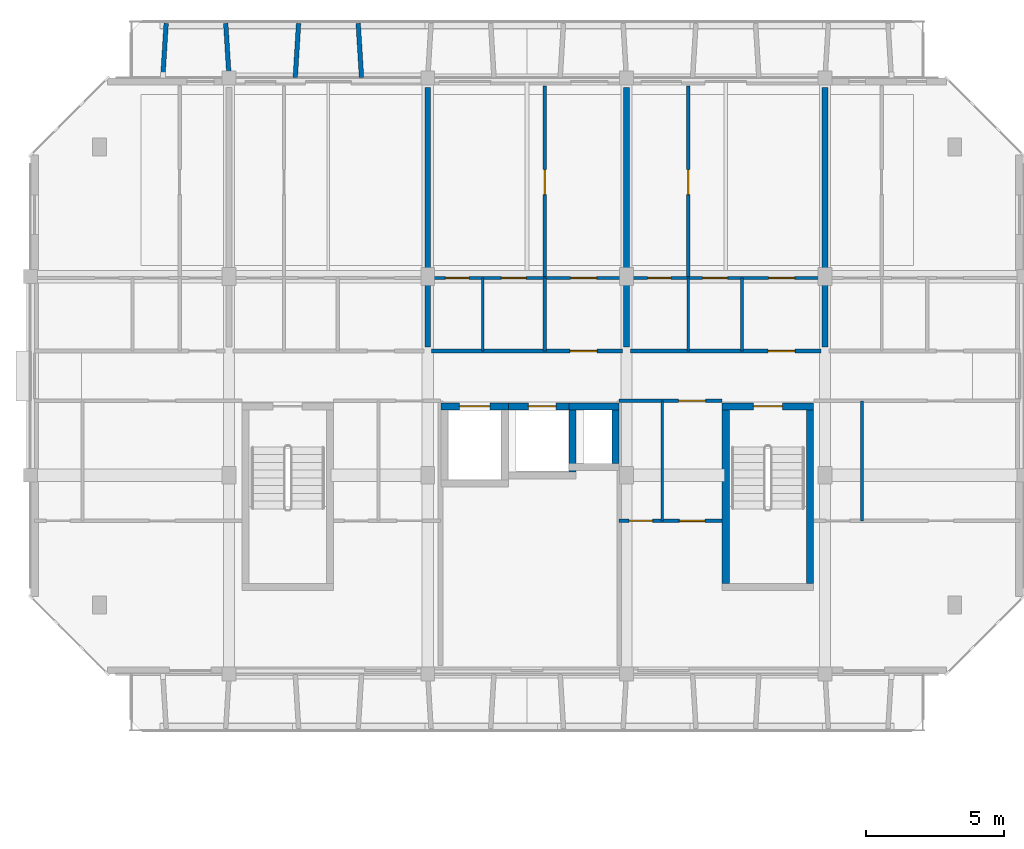
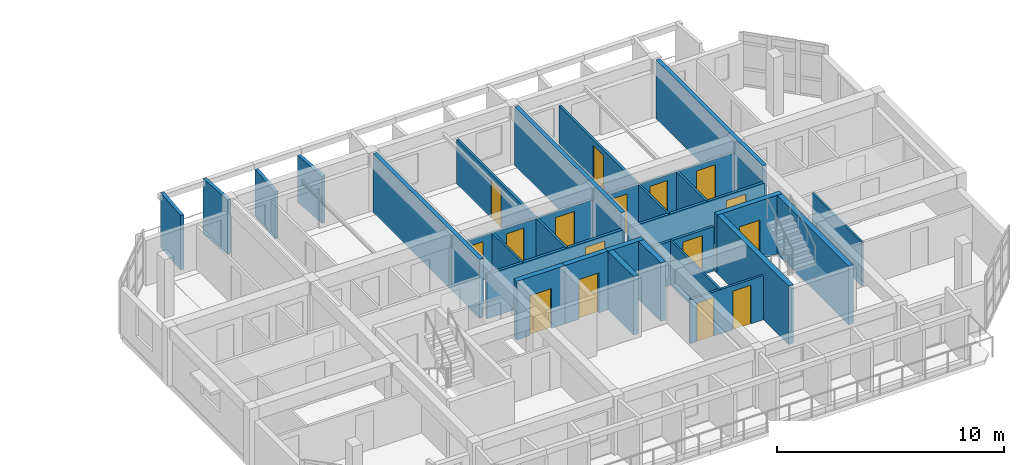
# One storey, part 27 of 40: 29 walls, 16 doors, 16 openings.
"""IFC4 building model written with IfcOpenShell, lengths in metres."""

from ifc_helpers import new_model, si_unit, direction, frame, frame_2d, origin, place, context, subcontext, project, spatial, rectangle, extrude, material, layer, layer_set, type_object, element, fill, save


model = new_model("IFC4")

# Units and contexts
model_context = context("Model", 3, precision=1e-05, world=origin(), true_north=direction((0.0, 1.0)))
body_context = subcontext(model_context, "Body", "Model", "MODEL_VIEW")
ifc_project = project(units=[si_unit("LENGTHUNIT", "METRE"), si_unit("AREAUNIT", "SQUARE_METRE"), si_unit("VOLUMEUNIT", "CUBIC_METRE"), si_unit("PLANEANGLEUNIT", "RADIAN"), si_unit("MASSUNIT", "GRAM", prefix="KILO")], contexts=[model_context])

# Site, building, storey
site_placement = place(None, origin())
site = spatial("IfcSite", under=ifc_project, at=site_placement, CompositionType="ELEMENT")
building_placement = place(site_placement, origin())
building = spatial("IfcBuilding", under=site, at=building_placement, Name="Ochrevale Crest", CompositionType="ELEMENT")
storey_placement = place(building_placement, frame((0.0, 0.0, 27.60009765625)))
storey = spatial("IfcBuildingStorey", under=building, at=storey_placement, Name="L08", CompositionType="ELEMENT", Elevation=27.60009765625)

# Wall, opening, door
ifc_material_1 = material(Name="Gypsum plasterboard", Category="gypsum")
ifc_layer_1 = layer(ifc_material_1, 0.139892578125)
ifc_layer_set_1 = layer_set([ifc_layer_1], Name="Gypsum plasterboard")
wall_type_1 = type_object("IfcWallType", Name="WL-COR-140", PredefinedType="PARTITIONING", material=ifc_layer_set_1)
wall_1_placement = place(storey_placement, frame((144.139892578125, 83.699951171875, 0.0), z_axis=(0.0, 0.0, 1.0), x_axis=(1.0, 0.0, 0.0)))
wall_1 = element("IfcWall", 1, at=wall_1_placement, inside=storey, type_object=wall_type_1, Name="Apartment D-L08-U3 corridor wall", PredefinedType="PARTITIONING", context=body_context, shape_type="SweptSolid", body=[
    extrude(rectangle(XDim=6.920166015625, YDim=0.139892578125, at=frame_2d((3.4599609375, 0.0))), origin(), (0.0, 0.0, 1.0), 2.3798828125),
])
opening_1_placement = place(wall_1_placement, frame((6.0, 0.0, 0.0), z_axis=(0.0, 0.0, 1.0), x_axis=(-1.0, 0.0, 0.0)))
opening_1 = element("IfcOpeningElement", 2, at=opening_1_placement, cuts=wall_1, Name="Opening FD01", PredefinedType="OPENING", context=body_context, shape_type="SweptSolid", body=[
    extrude(rectangle(XDim=0.97998046875, YDim=2.10009765625, at=frame_2d((0.489990234375, 1.050048828125))), frame((0.0, 0.080078125, 0.0), z_axis=(0.0, -1.0, 0.0), x_axis=(1.0, 0.0, 0.0)), (0.0, 0.0, 1.0), 0.159912109375),
])
ifc_material_2 = material(Name="Solid-core FSC hardwood", Category="wood")
door_type_1 = type_object("IfcDoorType", Name="DR-APT-950", OperationType="NOTDEFINED", PredefinedType="DOOR", material=ifc_material_2)
door_1_placement = place(opening_1_placement, origin())
door_1 = element("IfcDoor", 3, at=door_1_placement, inside=storey, type_object=door_type_1, Name="Apartment D-L08-U3 entrance door", OperationType="SINGLE_SWING_RIGHT", OverallHeight=2.10009765625, OverallWidth=0.97998046875, PredefinedType="DOOR", context=body_context, shape_type="SweptSolid", body=[
    extrude(rectangle(XDim=0.97998046875, YDim=2.10009765625, at=frame_2d((0.489990234375, 1.050048828125))), frame((0.0, 0.02490234375, 0.0), z_axis=(0.0, -1.0, 0.0), x_axis=(1.0, 0.0, 0.0)), (0.0, 0.0, 1.0), 0.050048828125),
])
fill(opening_1, door_1)

wall_2_placement = place(storey_placement, frame((151.340087890625, 83.699951171875, 0.0), z_axis=(0.0, 0.0, 1.0), x_axis=(1.0, 0.0, 0.0)))
wall_2 = element("IfcWall", 4, at=wall_2_placement, inside=storey, type_object=wall_type_1, Name="Apartment D-L08-U4 corridor wall", PredefinedType="PARTITIONING", context=body_context, shape_type="SweptSolid", body=[
    extrude(rectangle(XDim=6.919921875, YDim=0.139892578125, at=frame_2d((3.4599609375, 0.0))), origin(), (0.0, 0.0, 1.0), 2.3798828125),
])
opening_2_placement = place(wall_2_placement, frame((4.9951171875, 0.0, 0.0)))
opening_2 = element("IfcOpeningElement", 5, at=opening_2_placement, cuts=wall_2, Name="Opening FD01", PredefinedType="OPENING", context=body_context, shape_type="SweptSolid", body=[
    extrude(rectangle(XDim=0.97998046875, YDim=2.10009765625, at=frame_2d((0.489990234375, 1.050048828125))), frame((0.0, 0.080078125, 0.0), z_axis=(0.0, -1.0, 0.0), x_axis=(1.0, 0.0, 0.0)), (0.0, 0.0, 1.0), 0.159912109375),
])
door_2_placement = place(opening_2_placement, origin())
door_2 = element("IfcDoor", 6, at=door_2_placement, inside=storey, type_object=door_type_1, Name="Apartment D-L08-U4 entrance door", OperationType="SINGLE_SWING_LEFT", OverallHeight=2.10009765625, OverallWidth=0.97998046875, PredefinedType="DOOR", context=body_context, shape_type="SweptSolid", body=[
    extrude(rectangle(XDim=0.97998046875, YDim=2.10009765625, at=frame_2d((0.489990234375, 1.050048828125))), frame((0.0, 0.02490234375, 0.0), z_axis=(0.0, -1.0, 0.0), x_axis=(1.0, 0.0, 0.0)), (0.0, 0.0, 1.0), 0.050048828125),
])
fill(opening_2, door_2)

wall_3_placement = place(storey_placement, frame((150.93994140625, 81.89990234375, 0.0), z_axis=(0.0, 0.0, 1.0), x_axis=(1.0, 0.0, 0.0)))
wall_3 = element("IfcWall", 7, at=wall_3_placement, inside=storey, type_object=wall_type_1, Name="Suite D-L08-ME corridor wall", PredefinedType="PARTITIONING", context=body_context, shape_type="SweptSolid", body=[
    extrude(rectangle(XDim=3.719970703125, YDim=0.139892578125, at=frame_2d((1.85986328125, 0.0))), origin(), (0.0, 0.0, 1.0), 2.3798828125),
])
opening_3_placement = place(wall_3_placement, frame((2.151123046875, 0.0, 0.0)))
opening_3 = element("IfcOpeningElement", 8, at=opening_3_placement, cuts=wall_3, Name="Opening FD01", PredefinedType="OPENING", context=body_context, shape_type="SweptSolid", body=[
    extrude(rectangle(XDim=0.97998046875, YDim=2.10009765625, at=frame_2d((0.489990234375, 1.050048828125))), frame((0.0, 0.080078125, 0.0), z_axis=(0.0, -1.0, 0.0), x_axis=(1.0, 0.0, 0.0)), (0.0, 0.0, 1.0), 0.159912109375),
])
door_3_placement = place(opening_3_placement, origin())
door_3 = element("IfcDoor", 9, at=door_3_placement, inside=storey, type_object=door_type_1, Name="Suite D-L08-ME entrance door", OperationType="SINGLE_SWING_LEFT", OverallHeight=2.10009765625, OverallWidth=0.97998046875, PredefinedType="DOOR", context=body_context, shape_type="SweptSolid", body=[
    extrude(rectangle(XDim=0.97998046875, YDim=2.10009765625, at=frame_2d((0.489990234375, 1.050048828125))), frame((0.0, 0.02490234375, 0.0), z_axis=(0.0, -1.0, 0.0), x_axis=(1.0, 0.0, 0.0)), (0.0, 0.0, 1.0), 0.050048828125),
])
fill(opening_3, door_3)

ifc_material_3 = material(Name="Precast concrete C50/60", Category="concrete")
ifc_layer_2 = layer(ifc_material_3, 0.2548828125)
ifc_layer_set_2 = layer_set([ifc_layer_2], Name="Precast concrete C50/60")
wall_type_2 = type_object("IfcWallType", Name="WL-CORE-255", PredefinedType="SHEAR", material=ifc_layer_set_2)
wall_4_placement = place(storey_placement, frame((154.672607421875, 81.699951171875, 0.0), z_axis=(0.0, 0.0, 1.0), x_axis=(1.0, 0.0, 0.0)))
wall_4 = element("IfcWall", 10, at=wall_4_placement, inside=storey, type_object=wall_type_2, Name="Block D L08 Stair 2 precast core shear wall N", PredefinedType="SHEAR", context=body_context, shape_type="SweptSolid", body=[
    extrude(rectangle(XDim=3.304931640625, YDim=0.2548828125, at=frame_2d((1.65234375, 0.0))), origin(), (0.0, 0.0, 1.0), 3.14990234375),
])
opening_4_placement = place(wall_4_placement, frame((1.12744140625, 0.0, 0.0)))
opening_4 = element("IfcOpeningElement", 11, at=opening_4_placement, cuts=wall_4, Name="Opening FD03", PredefinedType="OPENING", context=body_context, shape_type="SweptSolid", body=[
    extrude(rectangle(XDim=1.050048828125, YDim=2.1201171875, at=frame_2d((0.52490234375, 1.06005859375))), frame((0.0, 0.137451171875, 0.0), z_axis=(0.0, -1.0, 0.0), x_axis=(1.0, 0.0, 0.0)), (0.0, 0.0, 1.0), 0.27490234375),
])
door_type_2 = type_object("IfcDoorType", Name="DR-ST-1050", OperationType="NOTDEFINED", PredefinedType="DOOR", material=ifc_material_2)
door_4_placement = place(opening_4_placement, origin())
door_4 = element("IfcDoor", 12, at=door_4_placement, inside=storey, type_object=door_type_2, Name="Block D L08 fire stair 2 door", OperationType="SINGLE_SWING_LEFT", OverallHeight=2.1201171875, OverallWidth=1.050048828125, PredefinedType="DOOR", context=body_context, shape_type="SweptSolid", body=[
    extrude(rectangle(XDim=1.050048828125, YDim=2.1201171875, at=frame_2d((0.52490234375, 1.06005859375))), frame((0.0, 0.02490234375, 0.0), z_axis=(0.0, -1.0, 0.0), x_axis=(1.0, 0.0, 0.0)), (0.0, 0.0, 1.0), 0.050048828125),
])
fill(opening_4, door_4)

# Walls
for number, where, z_axis, x_axis, name in (
    (13, (154.800048828125, 75.277587890625, 0.0), (0.0, 0.0, 1.0), (0.0, 1.0, 0.0), "Block D L08 Stair 2 precast core shear wall W"),
    (14, (157.85009765625, 75.277587890625, 0.0), (0.0, 0.0, 1.0), (0.0, 1.0, 0.0), "Block D L08 Stair 2 precast core shear wall E"),
):
    element("IfcWall", number, at=place(storey_placement, frame(where, z_axis=z_axis, x_axis=x_axis)), inside=storey, type_object=wall_type_2, Name=name, PredefinedType="SHEAR", context=body_context, shape_type="SweptSolid", body=[
        extrude(rectangle(XDim=6.294921875, YDim=0.2548828125, at=frame_2d((3.1474609375, 0.0))), origin(), (0.0, 0.0, 1.0), 3.14990234375),
    ])

# Wall, opening, door
wall_5_placement = place(storey_placement, frame((144.472412109375, 81.699951171875, 0.0), z_axis=(0.0, 0.0, 1.0), x_axis=(1.0, 0.0, 0.0)))
wall_5 = element("IfcWall", 15, at=wall_5_placement, inside=storey, type_object=wall_type_2, Name="Block D L08 Lift 1 precast shaft shear wall N", PredefinedType="SHEAR", context=body_context, shape_type="SweptSolid", body=[
    extrude(rectangle(XDim=2.455078125, YDim=0.2548828125, at=frame_2d((1.2275390625, 0.0))), origin(), (0.0, 0.0, 1.0), 3.14990234375),
])
opening_5_placement = place(wall_5_placement, frame((0.677490234375, 0.0, 0.0)))
opening_5 = element("IfcOpeningElement", 16, at=opening_5_placement, cuts=wall_5, Name="Opening LD01", PredefinedType="OPENING", context=body_context, shape_type="SweptSolid", body=[
    extrude(rectangle(XDim=1.10009765625, YDim=2.14990234375, at=frame_2d((0.550048828125, 1.074951171875))), frame((0.0, 0.137451171875, 0.0), z_axis=(0.0, -1.0, 0.0), x_axis=(1.0, 0.0, 0.0)), (0.0, 0.0, 1.0), 0.27490234375),
])
door_type_3 = type_object("IfcDoorType", Name="DR-LIFT-1100", OperationType="NOTDEFINED", PredefinedType="DOOR", material=ifc_material_2)
door_5_placement = place(opening_5_placement, origin())
door_5 = element("IfcDoor", 17, at=door_5_placement, inside=storey, type_object=door_type_3, Name="Lift LF-D1 L08 sliding landing door", OperationType="SLIDING_TO_LEFT", OverallHeight=2.14990234375, OverallWidth=1.10009765625, PredefinedType="DOOR", context=body_context, shape_type="SweptSolid", body=[
    extrude(rectangle(XDim=1.10009765625, YDim=2.14990234375, at=frame_2d((0.550048828125, 1.074951171875))), frame((0.0, 0.02490234375, 0.0), z_axis=(0.0, -1.0, 0.0), x_axis=(1.0, 0.0, 0.0)), (0.0, 0.0, 1.0), 0.050048828125),
])
fill(opening_5, door_5)

wall_6_placement = place(storey_placement, frame((146.922607421875, 81.699951171875, 0.0), z_axis=(0.0, 0.0, 1.0), x_axis=(1.0, 0.0, 0.0)))
wall_6 = element("IfcWall", 18, at=wall_6_placement, inside=storey, type_object=wall_type_2, Name="Block D L08 Lift 2 precast shaft shear wall N", PredefinedType="SHEAR", context=body_context, shape_type="SweptSolid", body=[
    extrude(rectangle(XDim=2.454833984375, YDim=0.2548828125, at=frame_2d((1.2275390625, 0.0))), origin(), (0.0, 0.0, 1.0), 3.14990234375),
])
opening_6_placement = place(wall_6_placement, frame((0.7275390625, 0.0, 0.0)))
opening_6 = element("IfcOpeningElement", 19, at=opening_6_placement, cuts=wall_6, Name="Opening LD02", PredefinedType="OPENING", context=body_context, shape_type="SweptSolid", body=[
    extrude(rectangle(XDim=1.0, YDim=2.14990234375, at=frame_2d((0.5, 1.074951171875))), frame((0.0, 0.137451171875, 0.0), z_axis=(0.0, -1.0, 0.0), x_axis=(1.0, 0.0, 0.0)), (0.0, 0.0, 1.0), 0.27490234375),
])
door_type_4 = type_object("IfcDoorType", Name="DR-LIFT-1000", OperationType="NOTDEFINED", PredefinedType="DOOR", material=ifc_material_2)
door_6_placement = place(opening_6_placement, origin())
door_6 = element("IfcDoor", 20, at=door_6_placement, inside=storey, type_object=door_type_4, Name="Lift LP-D2 L08 sliding landing door", OperationType="SLIDING_TO_RIGHT", OverallHeight=2.14990234375, OverallWidth=1.0, PredefinedType="DOOR", context=body_context, shape_type="SweptSolid", body=[
    extrude(rectangle(XDim=1.0, YDim=2.14990234375, at=frame_2d((0.5, 1.074951171875))), frame((0.0, 0.02490234375, 0.0), z_axis=(0.0, -1.0, 0.0), x_axis=(1.0, 0.0, 0.0)), (0.0, 0.0, 1.0), 0.050048828125),
])
fill(opening_6, door_6)

# Walls
wall_7_placement = place(storey_placement, frame((149.25, 79.327392578125, 0.0), z_axis=(0.0, 0.0, 1.0), x_axis=(0.0, 1.0, 0.0)))
element("IfcWall", 21, at=wall_7_placement, inside=storey, type_object=wall_type_2, Name="Block D L08 Lift 2 precast shaft shear wall E", PredefinedType="SHEAR", context=body_context, shape_type="SweptSolid", body=[
    extrude(rectangle(XDim=2.2451171875, YDim=0.2548828125, at=frame_2d((1.12255859375, 0.0))), origin(), (0.0, 0.0, 1.0), 3.14990234375),
])
wall_8_placement = place(storey_placement, frame((149.12255859375, 81.699951171875, 0.0), z_axis=(0.0, 0.0, 1.0), x_axis=(1.0, 0.0, 0.0)))
element("IfcWall", 22, at=wall_8_placement, inside=storey, type_object=wall_type_2, Name="Block D L08 services riser shaft core wall N", PredefinedType="SHEAR", context=body_context, shape_type="SweptSolid", body=[
    extrude(rectangle(XDim=1.804931640625, YDim=0.2548828125, at=frame_2d((0.90234375, 0.0))), origin(), (0.0, 0.0, 1.0), 3.14990234375),
])
wall_9_placement = place(storey_placement, frame((150.800048828125, 79.62744140625, 0.0), z_axis=(0.0, 0.0, 1.0), x_axis=(0.0, 1.0, 0.0)))
element("IfcWall", 23, at=wall_9_placement, inside=storey, type_object=wall_type_2, Name="Block D L08 services riser shaft core wall E", PredefinedType="SHEAR", context=body_context, shape_type="SweptSolid", body=[
    extrude(rectangle(XDim=1.945068359375, YDim=0.2548828125, at=frame_2d((0.97265625, 0.0))), origin(), (0.0, 0.0, 1.0), 3.14990234375),
])
ifc_material_4 = material(Name="Precast concrete C40/50", Category="concrete")
ifc_layer_3 = layer(ifc_material_4, 0.1650390625)
ifc_layer_set_3 = layer_set([ifc_layer_3], Name="Precast concrete C40/50")
wall_type_3 = type_object("IfcWallType", Name="WL-HC-CHEEK-165", PredefinedType="ELEMENTEDWALL", material=ifc_layer_set_3)
for number, where, z_axis, x_axis, name in (
    (24, (134.39990234375, 93.6201171875, 0.0), (0.0, 0.0, 1.0), (0.061170732449, 0.998127317276, 0.0), "Block D L08 N precast honeycomb cheek 1"),
    (25, (136.800048828125, 93.6201171875, 0.0), (0.0, 0.0, 1.0), (-0.061170732449, 0.998127317276, 0.0), "Block D L08 N precast honeycomb cheek 2"),
):
    element("IfcWall", number, at=place(storey_placement, frame(where, z_axis=z_axis, x_axis=x_axis)), inside=storey, type_object=wall_type_3, Name=name, PredefinedType="ELEMENTEDWALL", context=body_context, shape_type="SweptSolid", body=[
        extrude(rectangle(XDim=1.963623046875, YDim=0.1650390625, at=frame_2d((0.98193359375, 0.0))), origin(), (0.0, 0.0, 1.0), 2.949951171875),
    ])
for number, where, z_axis, x_axis, name in (
    (26, (139.199951171875, 93.6201171875, 0.0), (0.0, 0.0, 1.0), (0.061170732449, 0.998127317276, 0.0), "Block D L08 N precast honeycomb cheek 3"),
    (27, (141.60009765625, 93.6201171875, 0.0), (0.0, 0.0, 1.0), (-0.061170732449, 0.998127317276, 0.0), "Block D L08 N precast honeycomb cheek 4"),
):
    element("IfcWall", number, at=place(storey_placement, frame(where, z_axis=z_axis, x_axis=x_axis)), inside=storey, type_object=wall_type_3, Name=name, PredefinedType="ELEMENTEDWALL", context=body_context, shape_type="SweptSolid", body=[
        extrude(rectangle(XDim=1.963623046875, YDim=0.1650390625, at=frame_2d((0.98193359375, 0.0))), origin(), (0.0, 0.0, 1.0), 2.52978515625),
    ])
ifc_layer_4 = layer(ifc_material_1, 0.1201171875)
ifc_layer_set_4 = layer_set([ifc_layer_4], Name="Gypsum plasterboard")
wall_type_4 = type_object("IfcWallType", Name="WL-PART-120", PredefinedType="PARTITIONING", material=ifc_layer_set_4)
wall_10_placement = place(storey_placement, frame((148.239990234375, 83.699951171875, 0.0), z_axis=(0.0, 0.0, 1.0), x_axis=(0.0, 1.0, 0.0)))
element("IfcWall", 28, at=wall_10_placement, inside=storey, type_object=wall_type_4, Name="Apartment D-L08-U3 kitchen-foyer wall", PredefinedType="PARTITIONING", context=body_context, shape_type="SweptSolid", body=[
    extrude(rectangle(XDim=2.650146484375, YDim=0.1201171875, at=frame_2d((1.3251953125, 0.0))), origin(), (0.0, 0.0, 1.0), 2.3798828125),
])

# Wall, openings, doors
wall_11_placement = place(storey_placement, frame((144.139892578125, 86.35009765625, 0.0), z_axis=(0.0, 0.0, 1.0), x_axis=(1.0, 0.0, 0.0)))
wall_11 = element("IfcWall", 29, at=wall_11_placement, inside=storey, type_object=wall_type_4, Name="Apartment D-L08-U3 central partition", PredefinedType="PARTITIONING", context=body_context, shape_type="SweptSolid", body=[
    extrude(rectangle(XDim=6.920166015625, YDim=0.1201171875, at=frame_2d((3.4599609375, 0.0))), origin(), (0.0, 0.0, 1.0), 2.3798828125),
])
opening_7_placement = place(wall_11_placement, frame((0.5, 0.0, 0.0)))
opening_7 = element("IfcOpeningElement", 30, at=opening_7_placement, cuts=wall_11, Name="Opening ID01", PredefinedType="OPENING", context=body_context, shape_type="SweptSolid", body=[
    extrude(rectangle(XDim=0.85009765625, YDim=2.080078125, at=frame_2d((0.425048828125, 1.0400390625))), frame((0.0, 0.070068359375, 0.0), z_axis=(0.0, -1.0, 0.0), x_axis=(1.0, 0.0, 0.0)), (0.0, 0.0, 1.0), 0.14013671875),
])
opening_8_placement = place(wall_11_placement, frame((3.4248046875, 0.0, 0.0), z_axis=(0.0, 0.0, 1.0), x_axis=(-1.0, 0.0, 0.0)))
opening_8 = element("IfcOpeningElement", 31, at=opening_8_placement, cuts=wall_11, Name="Opening ID02", PredefinedType="OPENING", context=body_context, shape_type="SweptSolid", body=[
    extrude(rectangle(XDim=0.89990234375, YDim=2.080078125, at=frame_2d((0.449951171875, 1.0400390625))), frame((0.0, 0.070068359375, 0.0), z_axis=(0.0, -1.0, 0.0), x_axis=(1.0, 0.0, 0.0)), (0.0, 0.0, 1.0), 0.14013671875),
])
opening_9_placement = place(wall_11_placement, frame((5.034912109375, 0.0, 0.0)))
opening_9 = element("IfcOpeningElement", 32, at=opening_9_placement, cuts=wall_11, Name="Opening ID06", PredefinedType="OPENING", context=body_context, shape_type="SweptSolid", body=[
    extrude(rectangle(XDim=0.949951171875, YDim=2.080078125, at=frame_2d((0.47509765625, 1.0400390625))), frame((0.0, 0.070068359375, 0.0), z_axis=(0.0, -1.0, 0.0), x_axis=(1.0, 0.0, 0.0)), (0.0, 0.0, 1.0), 0.14013671875),
])
door_type_5 = type_object("IfcDoorType", Name="DR-INT-900", OperationType="NOTDEFINED", PredefinedType="DOOR", material=ifc_material_2)
door_7_placement = place(opening_8_placement, origin())
door_7 = element("IfcDoor", 33, at=door_7_placement, inside=storey, type_object=door_type_5, Name="Apartment D-L08-U3 Kitchen door", OperationType="SINGLE_SWING_RIGHT", OverallHeight=2.080078125, OverallWidth=0.89990234375, PredefinedType="DOOR", context=body_context, shape_type="SweptSolid", body=[
    extrude(rectangle(XDim=0.89990234375, YDim=2.080078125, at=frame_2d((0.449951171875, 1.0400390625))), frame((0.0, 0.02490234375, 0.0), z_axis=(0.0, -1.0, 0.0), x_axis=(1.0, 0.0, 0.0)), (0.0, 0.0, 1.0), 0.050048828125),
])
fill(opening_8, door_7)
door_type_6 = type_object("IfcDoorType", Name="DR-INT-950", OperationType="NOTDEFINED", PredefinedType="DOOR", material=ifc_material_2)
door_8_placement = place(opening_9_placement, origin())
door_8 = element("IfcDoor", 34, at=door_8_placement, inside=storey, type_object=door_type_6, Name="Apartment D-L08-U3 Living Foyer door", OperationType="SINGLE_SWING_LEFT", OverallHeight=2.080078125, OverallWidth=0.949951171875, PredefinedType="DOOR", context=body_context, shape_type="SweptSolid", body=[
    extrude(rectangle(XDim=0.949951171875, YDim=2.080078125, at=frame_2d((0.47509765625, 1.0400390625))), frame((0.0, 0.02490234375, 0.0), z_axis=(0.0, -1.0, 0.0), x_axis=(1.0, 0.0, 0.0)), (0.0, 0.0, 1.0), 0.050048828125),
])
fill(opening_9, door_8)
door_type_7 = type_object("IfcDoorType", Name="DR-WC-850", OperationType="NOTDEFINED", PredefinedType="DOOR", material=ifc_material_2)
door_9_placement = place(opening_7_placement, origin())
door_9 = element("IfcDoor", 35, at=door_9_placement, inside=storey, type_object=door_type_7, Name="Apartment D-L08-U3 Bathroom door", OperationType="SINGLE_SWING_LEFT", OverallHeight=2.080078125, OverallWidth=0.85009765625, PredefinedType="DOOR", context=body_context, shape_type="SweptSolid", body=[
    extrude(rectangle(XDim=0.85009765625, YDim=2.080078125, at=frame_2d((0.425048828125, 1.0400390625))), frame((0.0, 0.02490234375, 0.0), z_axis=(0.0, -1.0, 0.0), x_axis=(1.0, 0.0, 0.0)), (0.0, 0.0, 1.0), 0.050048828125),
])
fill(opening_7, door_9)

# Wall, opening, door
wall_12_placement = place(storey_placement, frame((148.239990234375, 86.35009765625, 0.0), z_axis=(0.0, 0.0, 1.0), x_axis=(0.0, 1.0, 0.0)))
wall_12 = element("IfcWall", 36, at=wall_12_placement, inside=storey, type_object=wall_type_4, Name="Apartment D-L08-U3 bedroom partition", PredefinedType="PARTITIONING", context=body_context, shape_type="SweptSolid", body=[
    extrude(rectangle(XDim=6.949951171875, YDim=0.1201171875, at=frame_2d((3.47509765625, 0.0))), origin(), (0.0, 0.0, 1.0), 2.3798828125),
])
opening_10_placement = place(wall_12_placement, frame((3.9248046875, 0.0, 0.0), z_axis=(0.0, 0.0, 1.0), x_axis=(-1.0, 0.0, 0.0)))
opening_10 = element("IfcOpeningElement", 37, at=opening_10_placement, cuts=wall_12, Name="Opening ID02", PredefinedType="OPENING", context=body_context, shape_type="SweptSolid", body=[
    extrude(rectangle(XDim=0.89990234375, YDim=2.080078125, at=frame_2d((0.449951171875, 1.0400390625))), frame((0.0, 0.070068359375, 0.0), z_axis=(0.0, -1.0, 0.0), x_axis=(1.0, 0.0, 0.0)), (0.0, 0.0, 1.0), 0.14013671875),
])
door_10_placement = place(opening_10_placement, origin())
door_10 = element("IfcDoor", 38, at=door_10_placement, inside=storey, type_object=door_type_5, Name="Apartment D-L08-U3 Master Bedroom door", OperationType="SINGLE_SWING_RIGHT", OverallHeight=2.080078125, OverallWidth=0.89990234375, PredefinedType="DOOR", context=body_context, shape_type="SweptSolid", body=[
    extrude(rectangle(XDim=0.89990234375, YDim=2.080078125, at=frame_2d((0.449951171875, 1.0400390625))), frame((0.0, 0.02490234375, 0.0), z_axis=(0.0, -1.0, 0.0), x_axis=(1.0, 0.0, 0.0)), (0.0, 0.0, 1.0), 0.050048828125),
])
fill(opening_10, door_10)

# Wall
wall_13_placement = place(storey_placement, frame((155.389892578125, 83.699951171875, 0.0), z_axis=(0.0, 0.0, 1.0), x_axis=(0.0, 1.0, 0.0)))
element("IfcWall", 39, at=wall_13_placement, inside=storey, type_object=wall_type_4, Name="Apartment D-L08-U4 kitchen-foyer wall", PredefinedType="PARTITIONING", context=body_context, shape_type="SweptSolid", body=[
    extrude(rectangle(XDim=2.650146484375, YDim=0.1201171875, at=frame_2d((1.3251953125, 0.0))), origin(), (0.0, 0.0, 1.0), 2.3798828125),
])

# Wall, openings, doors
wall_14_placement = place(storey_placement, frame((151.340087890625, 86.35009765625, 0.0), z_axis=(0.0, 0.0, 1.0), x_axis=(1.0, 0.0, 0.0)))
wall_14 = element("IfcWall", 40, at=wall_14_placement, inside=storey, type_object=wall_type_4, Name="Apartment D-L08-U4 central partition", PredefinedType="PARTITIONING", context=body_context, shape_type="SweptSolid", body=[
    extrude(rectangle(XDim=6.919921875, YDim=0.1201171875, at=frame_2d((3.4599609375, 0.0))), origin(), (0.0, 0.0, 1.0), 2.3798828125),
])
opening_11_placement = place(wall_14_placement, frame((1.47509765625, 0.0, 0.0), z_axis=(0.0, 0.0, 1.0), x_axis=(-1.0, 0.0, 0.0)))
opening_11 = element("IfcOpeningElement", 41, at=opening_11_placement, cuts=wall_14, Name="Opening ID01", PredefinedType="OPENING", context=body_context, shape_type="SweptSolid", body=[
    extrude(rectangle(XDim=0.85009765625, YDim=2.080078125, at=frame_2d((0.425048828125, 1.0400390625))), frame((0.0, 0.070068359375, 0.0), z_axis=(0.0, -1.0, 0.0), x_axis=(1.0, 0.0, 0.0)), (0.0, 0.0, 1.0), 0.14013671875),
])
opening_12_placement = place(wall_14_placement, frame((2.625, 0.0, 0.0)))
opening_12 = element("IfcOpeningElement", 42, at=opening_12_placement, cuts=wall_14, Name="Opening ID02", PredefinedType="OPENING", context=body_context, shape_type="SweptSolid", body=[
    extrude(rectangle(XDim=0.89990234375, YDim=2.080078125, at=frame_2d((0.449951171875, 1.0400390625))), frame((0.0, 0.070068359375, 0.0), z_axis=(0.0, -1.0, 0.0), x_axis=(1.0, 0.0, 0.0)), (0.0, 0.0, 1.0), 0.14013671875),
])
opening_13_placement = place(wall_14_placement, frame((5.9599609375, 0.0, 0.0), z_axis=(0.0, 0.0, 1.0), x_axis=(-1.0, 0.0, 0.0)))
opening_13 = element("IfcOpeningElement", 43, at=opening_13_placement, cuts=wall_14, Name="Opening ID06", PredefinedType="OPENING", context=body_context, shape_type="SweptSolid", body=[
    extrude(rectangle(XDim=0.949951171875, YDim=2.080078125, at=frame_2d((0.47509765625, 1.0400390625))), frame((0.0, 0.070068359375, 0.0), z_axis=(0.0, -1.0, 0.0), x_axis=(1.0, 0.0, 0.0)), (0.0, 0.0, 1.0), 0.14013671875),
])
door_11_placement = place(opening_12_placement, origin())
door_11 = element("IfcDoor", 44, at=door_11_placement, inside=storey, type_object=door_type_5, Name="Apartment D-L08-U4 Kitchen door", OperationType="SINGLE_SWING_LEFT", OverallHeight=2.080078125, OverallWidth=0.89990234375, PredefinedType="DOOR", context=body_context, shape_type="SweptSolid", body=[
    extrude(rectangle(XDim=0.89990234375, YDim=2.080078125, at=frame_2d((0.449951171875, 1.0400390625))), frame((0.0, 0.02490234375, 0.0), z_axis=(0.0, -1.0, 0.0), x_axis=(1.0, 0.0, 0.0)), (0.0, 0.0, 1.0), 0.050048828125),
])
fill(opening_12, door_11)
door_12_placement = place(opening_13_placement, origin())
door_12 = element("IfcDoor", 45, at=door_12_placement, inside=storey, type_object=door_type_6, Name="Apartment D-L08-U4 Living Foyer door", OperationType="SINGLE_SWING_RIGHT", OverallHeight=2.080078125, OverallWidth=0.949951171875, PredefinedType="DOOR", context=body_context, shape_type="SweptSolid", body=[
    extrude(rectangle(XDim=0.949951171875, YDim=2.080078125, at=frame_2d((0.47509765625, 1.0400390625))), frame((0.0, 0.02490234375, 0.0), z_axis=(0.0, -1.0, 0.0), x_axis=(1.0, 0.0, 0.0)), (0.0, 0.0, 1.0), 0.050048828125),
])
fill(opening_13, door_12)
door_13_placement = place(opening_11_placement, origin())
door_13 = element("IfcDoor", 46, at=door_13_placement, inside=storey, type_object=door_type_7, Name="Apartment D-L08-U4 Bathroom door", OperationType="SINGLE_SWING_RIGHT", OverallHeight=2.080078125, OverallWidth=0.85009765625, PredefinedType="DOOR", context=body_context, shape_type="SweptSolid", body=[
    extrude(rectangle(XDim=0.85009765625, YDim=2.080078125, at=frame_2d((0.425048828125, 1.0400390625))), frame((0.0, 0.02490234375, 0.0), z_axis=(0.0, -1.0, 0.0), x_axis=(1.0, 0.0, 0.0)), (0.0, 0.0, 1.0), 0.050048828125),
])
fill(opening_11, door_13)

# Wall, opening, door
wall_15_placement = place(storey_placement, frame((153.43994140625, 86.35009765625, 0.0), z_axis=(0.0, 0.0, 1.0), x_axis=(0.0, 1.0, 0.0)))
wall_15 = element("IfcWall", 47, at=wall_15_placement, inside=storey, type_object=wall_type_4, Name="Apartment D-L08-U4 bedroom partition", PredefinedType="PARTITIONING", context=body_context, shape_type="SweptSolid", body=[
    extrude(rectangle(XDim=6.949951171875, YDim=0.1201171875, at=frame_2d((3.47509765625, 0.0))), origin(), (0.0, 0.0, 1.0), 2.3798828125),
])
opening_14_placement = place(wall_15_placement, frame((3.02490234375, 0.0, 0.0)))
opening_14 = element("IfcOpeningElement", 48, at=opening_14_placement, cuts=wall_15, Name="Opening ID02", PredefinedType="OPENING", context=body_context, shape_type="SweptSolid", body=[
    extrude(rectangle(XDim=0.89990234375, YDim=2.080078125, at=frame_2d((0.449951171875, 1.0400390625))), frame((0.0, 0.070068359375, 0.0), z_axis=(0.0, -1.0, 0.0), x_axis=(1.0, 0.0, 0.0)), (0.0, 0.0, 1.0), 0.14013671875),
])
door_14_placement = place(opening_14_placement, origin())
door_14 = element("IfcDoor", 49, at=door_14_placement, inside=storey, type_object=door_type_5, Name="Apartment D-L08-U4 Master Bedroom door", OperationType="SINGLE_SWING_LEFT", OverallHeight=2.080078125, OverallWidth=0.89990234375, PredefinedType="DOOR", context=body_context, shape_type="SweptSolid", body=[
    extrude(rectangle(XDim=0.89990234375, YDim=2.080078125, at=frame_2d((0.449951171875, 1.0400390625))), frame((0.0, 0.02490234375, 0.0), z_axis=(0.0, -1.0, 0.0), x_axis=(1.0, 0.0, 0.0)), (0.0, 0.0, 1.0), 0.050048828125),
])
fill(opening_14, door_14)

# Wall, openings, doors
wall_16_placement = place(storey_placement, frame((150.93994140625, 77.550048828125, 0.0), z_axis=(0.0, 0.0, 1.0), x_axis=(1.0, 0.0, 0.0)))
wall_16 = element("IfcWall", 50, at=wall_16_placement, inside=storey, type_object=wall_type_4, Name="Suite D-L08-ME internal wall", PredefinedType="PARTITIONING", context=body_context, shape_type="SweptSolid", body=[
    extrude(rectangle(XDim=3.719970703125, YDim=0.1201171875, at=frame_2d((1.85986328125, 0.0))), origin(), (0.0, 0.0, 1.0), 2.3798828125),
])
opening_15_placement = place(wall_16_placement, frame((1.206298828125, 0.0, 0.0), z_axis=(0.0, 0.0, 1.0), x_axis=(-1.0, 0.0, 0.0)))
opening_15 = element("IfcOpeningElement", 51, at=opening_15_placement, cuts=wall_16, Name="Opening ID01", PredefinedType="OPENING", context=body_context, shape_type="SweptSolid", body=[
    extrude(rectangle(XDim=0.85009765625, YDim=2.080078125, at=frame_2d((0.425048828125, 1.0400390625))), frame((0.0, 0.070068359375, 0.0), z_axis=(0.0, -1.0, 0.0), x_axis=(1.0, 0.0, 0.0)), (0.0, 0.0, 1.0), 0.14013671875),
])
opening_16_placement = place(wall_16_placement, frame((2.18115234375, 0.0, 0.0)))
opening_16 = element("IfcOpeningElement", 52, at=opening_16_placement, cuts=wall_16, Name="Opening ID04", PredefinedType="OPENING", context=body_context, shape_type="SweptSolid", body=[
    extrude(rectangle(XDim=0.919921875, YDim=2.080078125, at=frame_2d((0.4599609375, 1.0400390625))), frame((0.0, 0.070068359375, 0.0), z_axis=(0.0, -1.0, 0.0), x_axis=(1.0, 0.0, 0.0)), (0.0, 0.0, 1.0), 0.14013671875),
])
door_type_8 = type_object("IfcDoorType", Name="DR-INT-920", OperationType="NOTDEFINED", PredefinedType="DOOR", material=ifc_material_2)
door_15_placement = place(opening_16_placement, origin())
door_15 = element("IfcDoor", 53, at=door_15_placement, inside=storey, type_object=door_type_8, Name="Suite D-L08-ME Garden Alcove Studio door", OperationType="SINGLE_SWING_LEFT", OverallHeight=2.080078125, OverallWidth=0.919921875, PredefinedType="DOOR", context=body_context, shape_type="SweptSolid", body=[
    extrude(rectangle(XDim=0.919921875, YDim=2.080078125, at=frame_2d((0.4599609375, 1.0400390625))), frame((0.0, 0.02490234375, 0.0), z_axis=(0.0, -1.0, 0.0), x_axis=(1.0, 0.0, 0.0)), (0.0, 0.0, 1.0), 0.050048828125),
])
fill(opening_16, door_15)
door_16_placement = place(opening_15_placement, origin())
door_16 = element("IfcDoor", 54, at=door_16_placement, inside=storey, type_object=door_type_7, Name="Suite D-L08-ME Bathroom door", OperationType="SINGLE_SWING_RIGHT", OverallHeight=2.080078125, OverallWidth=0.85009765625, PredefinedType="DOOR", context=body_context, shape_type="SweptSolid", body=[
    extrude(rectangle(XDim=0.85009765625, YDim=2.080078125, at=frame_2d((0.425048828125, 1.0400390625))), frame((0.0, 0.02490234375, 0.0), z_axis=(0.0, -1.0, 0.0), x_axis=(1.0, 0.0, 0.0)), (0.0, 0.0, 1.0), 0.050048828125),
])
fill(opening_15, door_16)

# Walls
ifc_layer_5 = layer(ifc_material_4, 0.2099609375)
ifc_layer_set_5 = layer_set([ifc_layer_5], Name="Precast concrete C40/50")
wall_type_5 = type_object("IfcWallType", Name="WL-SHEAR-210", PredefinedType="SHEAR", material=ifc_layer_set_5)
for number, where, z_axis, x_axis, name in (
    (55, (144.0, 83.85009765625, 0.0), (0.0, 0.0, 1.0), (0.0, 1.0, 0.0), "Block D L08 load-bearing precast cross-wall X=144.0"),
    (56, (151.199951171875, 83.85009765625, 0.0), (0.0, 0.0, 1.0), (0.0, 1.0, 0.0), "Block D L08 load-bearing precast cross-wall X=151.2"),
    (57, (158.39990234375, 83.85009765625, 0.0), (0.0, 0.0, 1.0), (0.0, 1.0, 0.0), "Block D L08 load-bearing precast cross-wall X=158.4"),
):
    element("IfcWall", number, at=place(storey_placement, frame(where, z_axis=z_axis, x_axis=x_axis)), inside=storey, type_object=wall_type_5, Name=name, PredefinedType="SHEAR", context=body_context, shape_type="SweptSolid", body=[
        extrude(rectangle(XDim=9.39990234375, YDim=0.2099609375, at=frame_2d((4.699951171875, 0.0))), origin(), (0.0, 0.0, 1.0), 3.14990234375),
    ])
ifc_layer_6 = layer(ifc_material_1, 0.10009765625)
ifc_layer_set_6 = layer_set([ifc_layer_6], Name="Gypsum plasterboard")
wall_type_6 = type_object("IfcWallType", Name="WL-WET-100", PredefinedType="PARTITIONING", material=ifc_layer_set_6)
for number, where, z_axis, x_axis, name in (
    (58, (145.989990234375, 83.699951171875, 0.0), (0.0, 0.0, 1.0), (0.0, 1.0, 0.0), "Apartment D-L08-U3 bath-kitchen wall"),
    (59, (153.43994140625, 83.699951171875, 0.0), (0.0, 0.0, 1.0), (0.0, 1.0, 0.0), "Apartment D-L08-U4 bath-kitchen wall"),
):
    element("IfcWall", number, at=place(storey_placement, frame(where, z_axis=z_axis, x_axis=x_axis)), inside=storey, type_object=wall_type_6, Name=name, PredefinedType="PARTITIONING", context=body_context, shape_type="SweptSolid", body=[
        extrude(rectangle(XDim=2.650146484375, YDim=0.10009765625, at=frame_2d((1.3251953125, 0.0))), origin(), (0.0, 0.0, 1.0), 2.3798828125),
    ])
for number, where, z_axis, x_axis, name in (
    (60, (152.50244140625, 77.550048828125, 0.0), (0.0, 0.0, 1.0), (0.0, 1.0, 0.0), "Suite D-L08-ME bathroom divider"),
    (61, (159.739990234375, 77.550048828125, 0.0), (0.0, 0.0, 1.0), (0.0, 1.0, 0.0), "Suite D-L08-CE bathroom divider"),
):
    element("IfcWall", number, at=place(storey_placement, frame(where, z_axis=z_axis, x_axis=x_axis)), inside=storey, type_object=wall_type_6, Name=name, PredefinedType="PARTITIONING", context=body_context, shape_type="SweptSolid", body=[
        extrude(rectangle(XDim=4.349853515625, YDim=0.10009765625, at=frame_2d((2.1748046875, 0.0))), origin(), (0.0, 0.0, 1.0), 2.3798828125),
    ])

save(model, "model.ifc")
